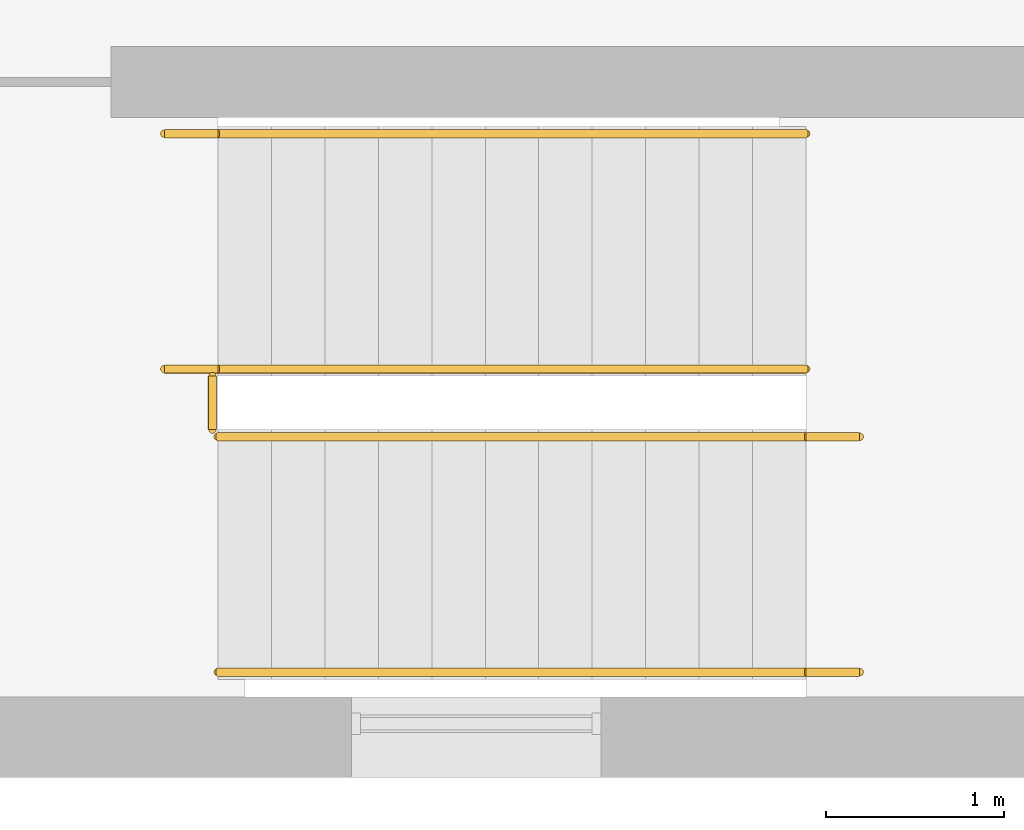
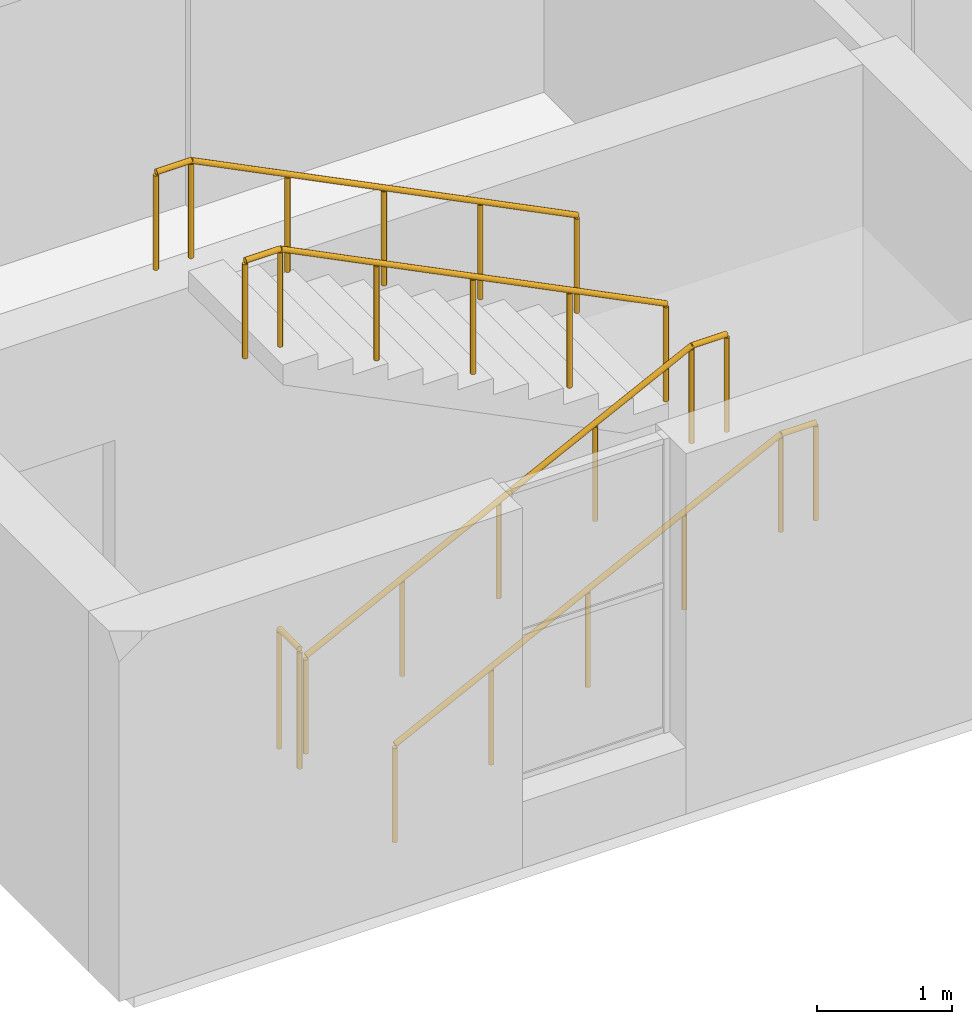
# One storey, part 44 of 46: 5 railings.
"""IFC4 building model written with IfcOpenShell, lengths in metres."""

from ifc_helpers import new_model, si_unit, direction, frame, origin, origin_2d, place, context, subcontext, project, spatial, circle, extrude, material, type_object, element, save


model = new_model("IFC4")

# Units and contexts
model_context = context("Model", 3, precision=1e-05, world=origin(), true_north=direction((0.0, 1.0)))
body_context = subcontext(model_context, "Body", "Model", "MODEL_VIEW")
ifc_project = project(units=[si_unit("LENGTHUNIT", "METRE"), si_unit("AREAUNIT", "SQUARE_METRE"), si_unit("VOLUMEUNIT", "CUBIC_METRE"), si_unit("PLANEANGLEUNIT", "RADIAN"), si_unit("MASSUNIT", "GRAM", prefix="KILO")], contexts=[model_context])

# Site, building, storey
site_placement = place(None, origin())
site = spatial("IfcSite", under=ifc_project, at=site_placement, CompositionType="ELEMENT")
building_placement = place(site_placement, origin())
building = spatial("IfcBuilding", under=site, at=building_placement, Name="Yavir Park General Hospital", CompositionType="ELEMENT")
storey_placement = place(building_placement, frame((0.0, 0.0, 18.89990234375)))
storey = spatial("IfcBuildingStorey", under=building, at=storey_placement, Name="L04", CompositionType="ELEMENT", Elevation=18.89990234375)

# Railings
ifc_material_1 = material(Name="Steel balustrade with infill rods", Category="steel")
railing_type_1 = type_object("IfcRailingType", Name="Stair guard, steel balustrade 1100 mm", PredefinedType="GUARDRAIL", material=ifc_material_1)
railing_placement = place(storey_placement, frame((103.169921875, 1.64990234375, 0.0)))
element("IfcRailing", 1, at=railing_placement, inside=storey, type_object=railing_type_1, Name="Stair well guard SU4 L04", PredefinedType="GUARDRAIL", context=body_context, shape_type="SweptSolid", body=[
    extrude(circle(Radius=0.02392578125, at=origin_2d()), frame((0.0, 0.0, 1.076171875), z_axis=(0.0, 1.0, 0.0), x_axis=(-1.0, 0.0, 0.0)), (0.0, 0.0, 1.0), 0.300048828125),
    extrude(circle(Radius=0.02099609375, at=origin_2d()), origin(), (0.0, 0.0, 1.0), 1.052001953125),
    extrude(circle(Radius=0.02099609375, at=origin_2d()), frame((0.0, 0.300048828125, 0.0)), (0.0, 0.0, 1.0), 1.052001953125),
])
ifc_material_2 = material(Name="Stainless steel tube 48 mm", Category="steel")
railing_type_2 = type_object("IfcRailingType", Name="Stair handrail, steel tube, 900 mm above the nosings", PredefinedType="HANDRAIL", material=ifc_material_2)
for number, where, name in (
    (2, (103.199951171875, 0.2900390625, 0.150146484375), "Handrail SU4 L04 1"),
    (3, (103.199951171875, 1.610107421875, 0.150146484375), "Handrail SU4 L04 2"),
):
    element("IfcRailing", number, at=place(storey_placement, frame(where)), inside=storey, type_object=railing_type_2, Name=name, PredefinedType="HANDRAIL", context=body_context, shape_type="SweptSolid", body=[
        extrude(circle(Radius=0.02392578125, at=origin_2d()), frame((0.0, 0.0, 0.8759765625), z_axis=(0.894440424912, 0.0, 0.447187126696), x_axis=(0.0, 1.0, 0.0)), (0.0, 0.0, 1.0), 3.689453125),
        extrude(circle(Radius=0.02392578125, at=origin_2d()), frame((3.300048828125, 0.0, 2.52587890625), z_axis=(1.0, 0.0, 0.0), x_axis=(0.0, 1.0, 0.0)), (0.0, 0.0, 1.0), 0.300048828125),
        extrude(circle(Radius=0.02099609375, at=origin_2d()), origin(), (0.0, 0.0, 1.0), 0.851806640625),
        extrude(circle(Radius=0.02099609375, at=origin_2d()), frame((0.824951171875, 0.0, 0.41259765625)), (0.0, 0.0, 1.0), 0.851806640625),
        extrude(circle(Radius=0.02099609375, at=origin_2d()), frame((1.64990234375, 0.0, 0.824951171875)), (0.0, 0.0, 1.0), 0.851806640625),
        extrude(circle(Radius=0.02099609375, at=origin_2d()), frame((2.47509765625, 0.0, 1.2373046875)), (0.0, 0.0, 1.0), 0.851806640625),
        extrude(circle(Radius=0.02099609375, at=origin_2d()), frame((3.300048828125, 0.0, 1.64990234375)), (0.0, 0.0, 1.0), 0.851806640625),
        extrude(circle(Radius=0.02099609375, at=origin_2d()), frame((3.60009765625, 0.0, 1.64990234375)), (0.0, 0.0, 1.0), 0.851806640625),
    ])
for number, where, name in (
    (4, (106.5, 3.31005859375, 1.9501953125), "Handrail SU4 L04 3"),
    (5, (106.5, 1.989990234375, 1.9501953125), "Handrail SU4 L04 4"),
):
    element("IfcRailing", number, at=place(storey_placement, frame(where)), inside=storey, type_object=railing_type_2, Name=name, PredefinedType="HANDRAIL", context=body_context, shape_type="SweptSolid", body=[
        extrude(circle(Radius=0.02392578125, at=origin_2d()), frame((0.0, 0.0, 0.8759765625), z_axis=(-0.894440424912, 0.0, 0.447187126696), x_axis=(0.0, -1.0, 0.0)), (0.0, 0.0, 1.0), 3.689453125),
        extrude(circle(Radius=0.02392578125, at=origin_2d()), frame((-3.300048828125, 0.0, 2.52587890625), z_axis=(-1.0, 0.0, 0.0), x_axis=(0.0, -1.0, 0.0)), (0.0, 0.0, 1.0), 0.300048828125),
        extrude(circle(Radius=0.02099609375, at=origin_2d()), origin(), (0.0, 0.0, 1.0), 0.851806640625),
        extrude(circle(Radius=0.02099609375, at=origin_2d()), frame((-0.824951171875, 0.0, 0.41259765625)), (0.0, 0.0, 1.0), 0.851806640625),
        extrude(circle(Radius=0.02099609375, at=origin_2d()), frame((-1.64990234375, 0.0, 0.824951171875)), (0.0, 0.0, 1.0), 0.851806640625),
        extrude(circle(Radius=0.02099609375, at=origin_2d()), frame((-2.47509765625, 0.0, 1.2373046875)), (0.0, 0.0, 1.0), 0.851806640625),
        extrude(circle(Radius=0.02099609375, at=origin_2d()), frame((-3.300048828125, 0.0, 1.64990234375)), (0.0, 0.0, 1.0), 0.851806640625),
        extrude(circle(Radius=0.02099609375, at=origin_2d()), frame((-3.60009765625, 0.0, 1.64990234375)), (0.0, 0.0, 1.0), 0.851806640625),
    ])

save(model, "model.ifc")
